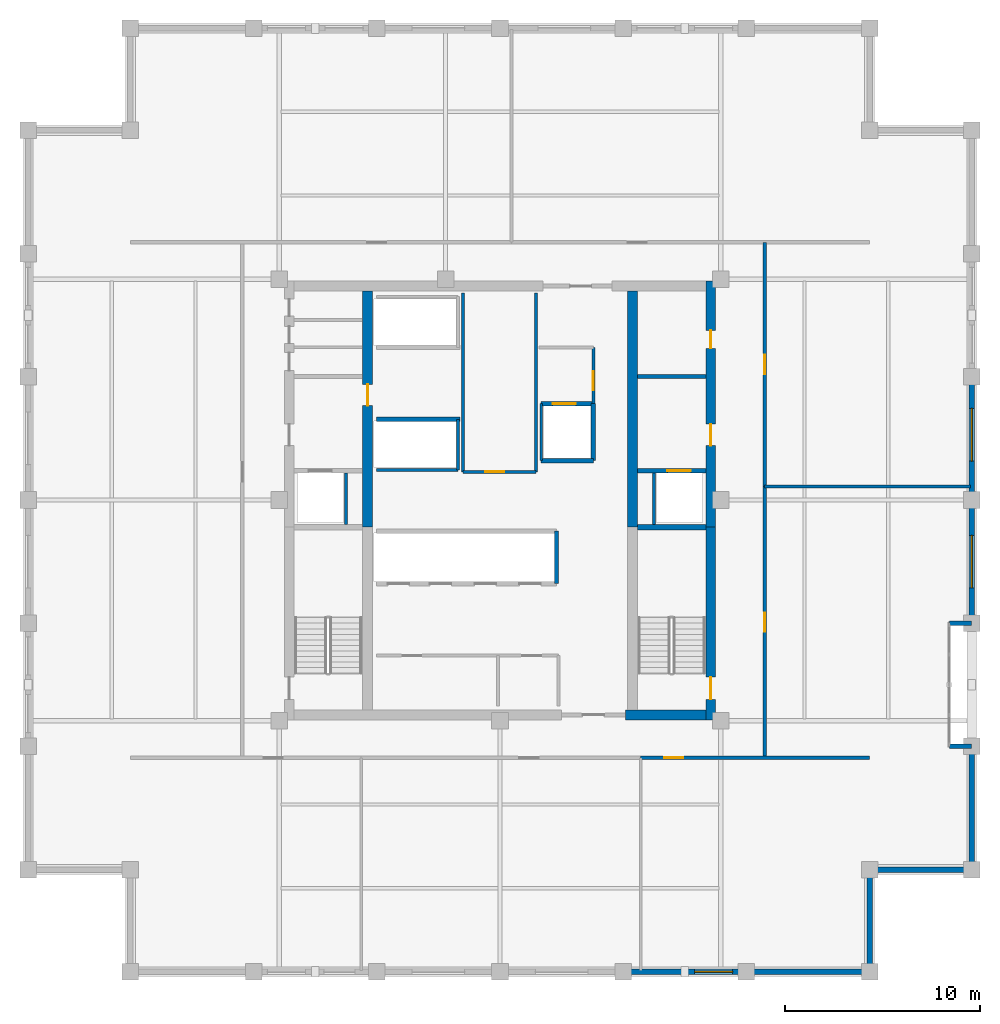
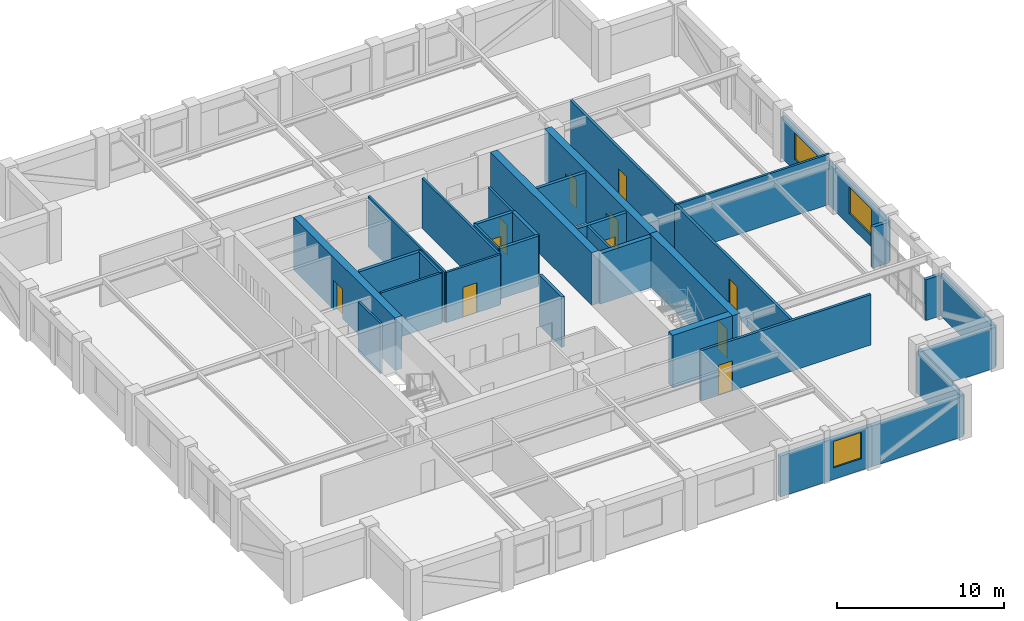
# One storey, part 5 of 8: 35 walls, 11 doors, 3 windows, 14 openings.
"""IFC4 building model written with IfcOpenShell, lengths in metres."""

from ifc_helpers import new_model, si_unit, direction, frame, frame_2d, origin, place, context, subcontext, project, spatial, rectangle, extrude, material, layer, layer_set, type_object, element, fill, save


model = new_model("IFC4")

# Units and contexts
model_context = context("Model", 3, precision=1e-05, world=origin(), true_north=direction((0.0, 1.0)))
body_context = subcontext(model_context, "Body", "Model", "MODEL_VIEW")
ifc_project = project(units=[si_unit("LENGTHUNIT", "METRE"), si_unit("AREAUNIT", "SQUARE_METRE"), si_unit("VOLUMEUNIT", "CUBIC_METRE"), si_unit("PLANEANGLEUNIT", "RADIAN"), si_unit("MASSUNIT", "GRAM", prefix="KILO")], contexts=[model_context])

# Site, building, storey
site_placement = place(None, origin())
site = spatial("IfcSite", under=ifc_project, at=site_placement, CompositionType="ELEMENT")
building_placement = place(site_placement, origin())
building = spatial("IfcBuilding", under=site, at=building_placement, Name="Nhamokura Convention Tower", CompositionType="ELEMENT")
storey_placement = place(building_placement, frame((0.0, 0.0, 240.800048828125)))
storey = spatial("IfcBuildingStorey", under=building, at=storey_placement, Name="L59", CompositionType="ELEMENT", Elevation=240.800048828125)

# Wall, opening, window
ifc_material_1 = material(Name="Bronze-pigmented precast concrete C45/55", Category="concrete")
ifc_layer_1 = layer(ifc_material_1, 0.280029296875)
ifc_layer_set_1 = layer_set([ifc_layer_1], Name="BronzePrecastSpandrel_280")
wall_type_1 = type_object("IfcWallType", Name="BronzePrecastSpandrel_280", PredefinedType="USERDEFINED", material=ifc_layer_set_1)
wall_1_placement = place(storey_placement, frame((44.666748046875, 7.75, 0.0), z_axis=(0.0, 0.0, 1.0), x_axis=(-1.0, 0.0, 0.0)))
wall_1 = element("IfcWall", 1, at=wall_1_placement, inside=storey, type_object=wall_type_1, Name="L59 Masonry-Frame Wall SOUTH 4", ObjectType="SPANDREL_WALL", PredefinedType="USERDEFINED", context=body_context, shape_type="SweptSolid", body=[
    extrude(rectangle(XDim=6.33349609375, YDim=0.280029296875, at=frame_2d((3.166748046875, 0.0))), origin(), (0.0, 0.0, 1.0), 2.98486328125),
])
opening_1_placement = place(wall_1_placement, frame((0.708251953125, 0.0, 0.85009765625)))
opening_1 = element("IfcOpeningElement", 2, at=opening_1_placement, cuts=wall_1, Name="Opening W-08", PredefinedType="OPENING", context=body_context, shape_type="SweptSolid", body=[
    extrude(rectangle(XDim=1.949951171875, YDim=1.93505859375, at=frame_2d((0.97509765625, 0.967529296875))), frame((0.0, 0.14990234375, 0.0), z_axis=(0.0, -1.0, 0.0), x_axis=(1.0, 0.0, 0.0)), (0.0, 0.0, 1.0), 0.300048828125),
])
ifc_material_2 = material(Name="Solar-control bronze low-E double glass", Category="glass")
window_type_1 = type_object("IfcWindowType", Name="OfficeModuleWindow_Z3_1950", PartitioningType="SINGLE_PANEL", PredefinedType="WINDOW", material=ifc_material_2)
window_1_placement = place(opening_1_placement, origin())
window_1 = element("IfcWindow", 3, at=window_1_placement, inside=storey, type_object=window_type_1, Name="L59 Facade Window SOUTH 4-1", OverallHeight=1.93505859375, OverallWidth=1.949951171875, PartitioningType="SINGLE_PANEL", PredefinedType="WINDOW", context=body_context, shape_type="SweptSolid", body=[
    extrude(rectangle(XDim=1.949951171875, YDim=1.93505859375, at=frame_2d((0.97509765625, 0.967529296875))), frame((0.0, 0.030029296875, 0.0), z_axis=(0.0, -1.0, 0.0), x_axis=(1.0, 0.0, 0.0)), (0.0, 0.0, 1.0), 0.06005859375),
])
fill(opening_1, window_1)

# Walls
wall_2_placement = place(storey_placement, frame((51.0, 7.75, 0.0), z_axis=(0.0, 0.0, 1.0), x_axis=(-1.0, 0.0, 0.0)))
element("IfcWall", 4, at=wall_2_placement, inside=storey, type_object=wall_type_1, Name="L59 Braced-Bay Precast Wall SOUTH 5", ObjectType="SPANDREL_WALL", PredefinedType="USERDEFINED", context=body_context, shape_type="SweptSolid", body=[
    extrude(rectangle(XDim=6.333251953125, YDim=0.280029296875, at=frame_2d((3.16650390625, 0.0))), origin(), (0.0, 0.0, 1.0), 2.98486328125),
])
for number, where, z_axis, x_axis, name in (
    (5, (56.25, 19.333251953125, 0.0), (0.0, 0.0, 1.0), (-1.0, 0.0, 0.0), "L59 Scale Slot Cheek Wall EASTA"),
    (6, (56.25, 25.666748046875, 0.0), (0.0, 0.0, 1.0), (-1.0, 0.0, 0.0), "L59 Scale Slot Cheek Wall EASTB"),
):
    element("IfcWall", number, at=place(storey_placement, frame(where, z_axis=z_axis, x_axis=x_axis)), inside=storey, type_object=wall_type_1, Name=name, ObjectType="SPANDREL_WALL", PredefinedType="USERDEFINED", context=body_context, shape_type="SweptSolid", body=[
        extrude(rectangle(XDim=1.14990234375, YDim=0.239990234375, at=frame_2d((0.574951171875, 0.0))), origin(), (0.0, 0.0, 1.0), 2.98486328125),
    ])
wall_3_placement = place(storey_placement, frame((56.25, 19.333251953125, 0.0), z_axis=(0.0, 0.0, 1.0), x_axis=(0.0, -1.0, 0.0)))
element("IfcWall", 7, at=wall_3_placement, inside=storey, type_object=wall_type_1, Name="L59 Braced-Bay Precast Wall EAST 0", ObjectType="SPANDREL_WALL", PredefinedType="USERDEFINED", context=body_context, shape_type="SweptSolid", body=[
    extrude(rectangle(XDim=6.333251953125, YDim=0.280029296875, at=frame_2d((3.16650390625, 0.0))), origin(), (0.0, 0.0, 1.0), 2.98486328125),
])

# Wall, opening, window
wall_4_placement = place(storey_placement, frame((56.25, 32.0, 0.0), z_axis=(0.0, 0.0, 1.0), x_axis=(0.0, -1.0, 0.0)))
wall_4 = element("IfcWall", 8, at=wall_4_placement, inside=storey, type_object=wall_type_1, Name="L59 Masonry-Frame Wall EAST 2", ObjectType="SPANDREL_WALL", PredefinedType="USERDEFINED", context=body_context, shape_type="SweptSolid", body=[
    extrude(rectangle(XDim=6.333251953125, YDim=0.280029296875, at=frame_2d((3.16650390625, 0.0))), origin(), (0.0, 0.0, 1.0), 2.98486328125),
])
opening_2_placement = place(wall_4_placement, frame((1.816650390625, 0.0, 0.85009765625)))
opening_2 = element("IfcOpeningElement", 9, at=opening_2_placement, cuts=wall_4, Name="Opening W-07", PredefinedType="OPENING", context=body_context, shape_type="SweptSolid", body=[
    extrude(rectangle(XDim=2.699951171875, YDim=1.93505859375, at=frame_2d((1.35009765625, 0.967529296875))), frame((0.0, 0.14990234375, 0.0), z_axis=(0.0, -1.0, 0.0), x_axis=(1.0, 0.0, 0.0)), (0.0, 0.0, 1.0), 0.300048828125),
])
ifc_material_3 = material(Name="Solar-control bronze low-E double glass", Category="glass")
window_type_2 = type_object("IfcWindowType", Name="OfficeModuleWindow_Z3_2700", PartitioningType="DOUBLE_PANEL_VERTICAL", PredefinedType="WINDOW", material=ifc_material_3)
window_2_placement = place(opening_2_placement, origin())
window_2 = element("IfcWindow", 10, at=window_2_placement, inside=storey, type_object=window_type_2, Name="L59 Facade Window EAST 2", OverallHeight=1.93505859375, OverallWidth=2.699951171875, PartitioningType="SINGLE_PANEL", PredefinedType="WINDOW", context=body_context, shape_type="SweptSolid", body=[
    extrude(rectangle(XDim=2.699951171875, YDim=1.93505859375, at=frame_2d((1.35009765625, 0.967529296875))), frame((0.0, 0.030029296875, 0.0), z_axis=(0.0, -1.0, 0.0), x_axis=(1.0, 0.0, 0.0)), (0.0, 0.0, 1.0), 0.06005859375),
])
fill(opening_2, window_2)

wall_5_placement = place(storey_placement, frame((56.25, 38.333251953125, 0.0), z_axis=(0.0, 0.0, 1.0), x_axis=(0.0, -1.0, 0.0)))
wall_5 = element("IfcWall", 11, at=wall_5_placement, inside=storey, type_object=wall_type_1, Name="L59 Masonry-Frame Wall EAST 3", ObjectType="SPANDREL_WALL", PredefinedType="USERDEFINED", context=body_context, shape_type="SweptSolid", body=[
    extrude(rectangle(XDim=6.333251953125, YDim=0.280029296875, at=frame_2d((3.16650390625, 0.0))), origin(), (0.0, 0.0, 1.0), 2.98486328125),
])
opening_3_placement = place(wall_5_placement, frame((1.629150390625, 0.0, 0.85009765625)))
opening_3 = element("IfcOpeningElement", 12, at=opening_3_placement, cuts=wall_5, Name="Opening W-07", PredefinedType="OPENING", context=body_context, shape_type="SweptSolid", body=[
    extrude(rectangle(XDim=2.699951171875, YDim=1.93505859375, at=frame_2d((1.35009765625, 0.967529296875))), frame((0.0, 0.14990234375, 0.0), z_axis=(0.0, -1.0, 0.0), x_axis=(1.0, 0.0, 0.0)), (0.0, 0.0, 1.0), 0.300048828125),
])
window_3_placement = place(opening_3_placement, origin())
window_3 = element("IfcWindow", 13, at=window_3_placement, inside=storey, type_object=window_type_2, Name="L59 Facade Window EAST 3", OverallHeight=1.93505859375, OverallWidth=2.699951171875, PartitioningType="SINGLE_PANEL", PredefinedType="WINDOW", context=body_context, shape_type="SweptSolid", body=[
    extrude(rectangle(XDim=2.699951171875, YDim=1.93505859375, at=frame_2d((1.35009765625, 0.967529296875))), frame((0.0, 0.030029296875, 0.0), z_axis=(0.0, -1.0, 0.0), x_axis=(1.0, 0.0, 0.0)), (0.0, 0.0, 1.0), 0.06005859375),
])
fill(opening_3, window_3)

# Walls
for number, where, z_axis, x_axis, name in (
    (14, (51.0, 13.0, 0.0), (0.0, 0.0, 1.0), (0.0, -1.0, 0.0), "L59 Notched Corner Wall SE1"),
    (15, (56.25, 13.0, 0.0), (0.0, 0.0, 1.0), (-1.0, 0.0, 0.0), "L59 Notched Corner Wall SE2"),
):
    element("IfcWall", number, at=place(storey_placement, frame(where, z_axis=z_axis, x_axis=x_axis)), inside=storey, type_object=wall_type_1, Name=name, ObjectType="SPANDREL_WALL", PredefinedType="USERDEFINED", context=body_context, shape_type="SweptSolid", body=[
        extrude(rectangle(XDim=5.25, YDim=0.280029296875, at=frame_2d((2.625, 0.0))), origin(), (0.0, 0.0, 1.0), 2.98486328125),
    ])

# Wall, opening, door
ifc_material_4 = material(Name="Concrete C60/75", Category="concrete")
ifc_layer_2 = layer(ifc_material_4, 0.5)
ifc_layer_set_2 = layer_set([ifc_layer_2], Name="CoreShearWall_500")
wall_type_2 = type_object("IfcWallType", Name="CoreShearWall_500", PredefinedType="SHEAR", material=ifc_layer_set_2)
wall_6_placement = place(storey_placement, frame((42.840087890625, 20.699951171875, 0.0), z_axis=(0.0, 0.0, 1.0), x_axis=(0.0, 1.0, 0.0)))
wall_6 = element("IfcWall", 16, at=wall_6_placement, inside=storey, type_object=wall_type_2, Name="L59 Core Shear Wall CW-ES", PredefinedType="SHEAR", context=body_context, shape_type="SweptSolid", body=[
    extrude(rectangle(XDim=9.900146484375, YDim=0.5, at=frame_2d((4.9501953125, 0.0))), origin(), (0.0, 0.0, 1.0), 3.849853515625),
])
opening_4_placement = place(wall_6_placement, frame((1.050048828125, 0.0, 0.0)))
opening_4 = element("IfcOpeningElement", 17, at=opening_4_placement, cuts=wall_6, Name="Opening D-04", PredefinedType="OPENING", context=body_context, shape_type="SweptSolid", body=[
    extrude(rectangle(XDim=1.14990234375, YDim=2.14990234375, at=frame_2d((0.574951171875, 1.074951171875))), frame((0.0, 0.260009765625, 0.0), z_axis=(0.0, -1.0, 0.0), x_axis=(1.0, 0.0, 0.0)), (0.0, 0.0, 1.0), 0.52001953125),
])
ifc_material_5 = material(Name="Fire-rated steel door", Category="steel")
door_type_1 = type_object("IfcDoorType", Name="StairSmokeDoor_1150", OperationType="NOTDEFINED", PredefinedType="DOOR", material=ifc_material_5)
door_1_placement = place(opening_4_placement, origin())
door_1 = element("IfcDoor", 18, at=door_1_placement, inside=storey, type_object=door_type_1, Name="L59 Core Door INT-L59-D-ST02", OperationType="SINGLE_SWING_RIGHT", OverallHeight=2.14990234375, OverallWidth=1.14990234375, PredefinedType="DOOR", context=body_context, shape_type="SweptSolid", body=[
    extrude(rectangle(XDim=1.14990234375, YDim=2.14990234375, at=frame_2d((0.574951171875, 1.074951171875))), frame((0.0, 0.02490234375, 0.0), z_axis=(0.0, -1.0, 0.0), x_axis=(1.0, 0.0, 0.0)), (0.0, 0.0, 1.0), 0.050048828125),
])
fill(opening_4, door_1)

# Wall, openings, doors
wall_7_placement = place(storey_placement, frame((42.840087890625, 30.60009765625, 0.0), z_axis=(0.0, 0.0, 1.0), x_axis=(0.0, 1.0, 0.0)))
wall_7 = element("IfcWall", 19, at=wall_7_placement, inside=storey, type_object=wall_type_2, Name="L59 Core Shear Wall CW-EN", PredefinedType="SHEAR", context=body_context, shape_type="SweptSolid", body=[
    extrude(rectangle(XDim=12.64990234375, YDim=0.5, at=frame_2d((6.324951171875, 0.0))), origin(), (0.0, 0.0, 1.0), 3.849853515625),
])
opening_5_placement = place(wall_7_placement, frame((4.199951171875, 0.0, 0.0)))
opening_5 = element("IfcOpeningElement", 20, at=opening_5_placement, cuts=wall_7, Name="Opening D-05", PredefinedType="OPENING", context=body_context, shape_type="SweptSolid", body=[
    extrude(rectangle(XDim=1.10009765625, YDim=2.14990234375, at=frame_2d((0.550048828125, 1.074951171875))), frame((0.0, 0.260009765625, 0.0), z_axis=(0.0, -1.0, 0.0), x_axis=(1.0, 0.0, 0.0)), (0.0, 0.0, 1.0), 0.52001953125),
])
opening_6_placement = place(wall_7_placement, frame((9.199951171875, 0.0, 0.0)))
opening_6 = element("IfcOpeningElement", 21, at=opening_6_placement, cuts=wall_7, Name="Opening D-10", PredefinedType="OPENING", context=body_context, shape_type="SweptSolid", body=[
    extrude(rectangle(XDim=0.919921875, YDim=2.10009765625, at=frame_2d((0.4599609375, 1.050048828125))), frame((0.0, 0.260009765625, 0.0), z_axis=(0.0, -1.0, 0.0), x_axis=(1.0, 0.0, 0.0)), (0.0, 0.0, 1.0), 0.52001953125),
])
ifc_material_6 = material(Name="Solid oak hardwood", Category="wood")
door_type_2 = type_object("IfcDoorType", Name="AccessibleWCDoor_920", OperationType="NOTDEFINED", PredefinedType="DOOR", material=ifc_material_6)
door_2_placement = place(opening_6_placement, origin())
door_2 = element("IfcDoor", 22, at=door_2_placement, inside=storey, type_object=door_type_2, Name="L59 Core Door INT-L59-D-UWC", OperationType="SINGLE_SWING_RIGHT", OverallHeight=2.10009765625, OverallWidth=0.919921875, PredefinedType="DOOR", context=body_context, shape_type="SweptSolid", body=[
    extrude(rectangle(XDim=0.919921875, YDim=2.10009765625, at=frame_2d((0.4599609375, 1.050048828125))), frame((0.0, 0.02490234375, 0.0), z_axis=(0.0, -1.0, 0.0), x_axis=(1.0, 0.0, 0.0)), (0.0, 0.0, 1.0), 0.050048828125),
])
fill(opening_6, door_2)
ifc_material_7 = material(Name="Fire-rated steel door", Category="steel")
door_type_3 = type_object("IfcDoorType", Name="FireLobbyDoor_1100", OperationType="NOTDEFINED", PredefinedType="DOOR", material=ifc_material_7)
door_3_placement = place(opening_5_placement, origin())
door_3 = element("IfcDoor", 23, at=door_3_placement, inside=storey, type_object=door_type_3, Name="L59 Core Door INT-L59-D-FFLE", OperationType="SINGLE_SWING_LEFT", OverallHeight=2.14990234375, OverallWidth=1.10009765625, PredefinedType="DOOR", context=body_context, shape_type="SweptSolid", body=[
    extrude(rectangle(XDim=1.10009765625, YDim=2.14990234375, at=frame_2d((0.550048828125, 1.074951171875))), frame((0.0, 0.02490234375, 0.0), z_axis=(0.0, -1.0, 0.0), x_axis=(1.0, 0.0, 0.0)), (0.0, 0.0, 1.0), 0.050048828125),
])
fill(opening_5, door_3)

# Wall
wall_8_placement = place(storey_placement, frame((38.449951171875, 20.949951171875, 0.0), z_axis=(0.0, 0.0, 1.0), x_axis=(1.0, 0.0, 0.0)))
element("IfcWall", 24, at=wall_8_placement, inside=storey, type_object=wall_type_2, Name="L59 Core Shear Wall CW-S2", PredefinedType="SHEAR", context=body_context, shape_type="SweptSolid", body=[
    extrude(rectangle(XDim=4.14013671875, YDim=0.5, at=frame_2d((2.070068359375, 0.0))), origin(), (0.0, 0.0, 1.0), 3.849853515625),
])

# Wall, opening, door
wall_9_placement = place(storey_placement, frame((25.18994140625, 30.60009765625, 0.0), z_axis=(0.0, 0.0, 1.0), x_axis=(0.0, 1.0, 0.0)))
wall_9 = element("IfcWall", 25, at=wall_9_placement, inside=storey, type_object=wall_type_2, Name="L59 Core Shear Wall CW-IWN", PredefinedType="SHEAR", context=body_context, shape_type="SweptSolid", body=[
    extrude(rectangle(XDim=12.14990234375, YDim=0.5, at=frame_2d((6.074951171875, 0.0))), origin(), (0.0, 0.0, 1.0), 3.849853515625),
])
opening_7_placement = place(wall_9_placement, frame((6.25, 0.0, 0.0)))
opening_7 = element("IfcOpeningElement", 26, at=opening_7_placement, cuts=wall_9, Name="Opening D-05", PredefinedType="OPENING", context=body_context, shape_type="SweptSolid", body=[
    extrude(rectangle(XDim=1.10009765625, YDim=2.14990234375, at=frame_2d((0.550048828125, 1.074951171875))), frame((0.0, 0.260009765625, 0.0), z_axis=(0.0, -1.0, 0.0), x_axis=(1.0, 0.0, 0.0)), (0.0, 0.0, 1.0), 0.52001953125),
])
door_4_placement = place(opening_7_placement, origin())
door_4 = element("IfcDoor", 27, at=door_4_placement, inside=storey, type_object=door_type_3, Name="L59 Core Door INT-L59-D-B3LOB", OperationType="SINGLE_SWING_LEFT", OverallHeight=2.14990234375, OverallWidth=1.10009765625, PredefinedType="DOOR", context=body_context, shape_type="SweptSolid", body=[
    extrude(rectangle(XDim=1.10009765625, YDim=2.14990234375, at=frame_2d((0.550048828125, 1.074951171875))), frame((0.0, 0.02490234375, 0.0), z_axis=(0.0, -1.0, 0.0), x_axis=(1.0, 0.0, 0.0)), (0.0, 0.0, 1.0), 0.050048828125),
])
fill(opening_7, door_4)

# Wall
wall_10_placement = place(storey_placement, frame((38.81005859375, 30.60009765625, 0.0), z_axis=(0.0, 0.0, 1.0), x_axis=(0.0, 1.0, 0.0)))
element("IfcWall", 28, at=wall_10_placement, inside=storey, type_object=wall_type_2, Name="L59 Core Shear Wall CW-IEN", PredefinedType="SHEAR", context=body_context, shape_type="SweptSolid", body=[
    extrude(rectangle(XDim=12.14990234375, YDim=0.5, at=frame_2d((6.074951171875, 0.0))), origin(), (0.0, 0.0, 1.0), 3.849853515625),
])

# Wall, opening, door
ifc_material_8 = material(Name="Fire-rated gypsum and masonry partition", Category="masonry")
ifc_layer_3 = layer(ifc_material_8, 0.179931640625)
ifc_layer_set_3 = layer_set([ifc_layer_3], Name="CorridorRatedWall_180")
wall_type_3 = type_object("IfcWallType", Name="CorridorRatedWall_180", PredefinedType="STANDARD", material=ifc_layer_set_3)
wall_11_placement = place(storey_placement, frame((39.2333984375, 18.75, 0.0), z_axis=(0.0, 0.0, 1.0), x_axis=(1.0, 0.0, 0.0)))
wall_11 = element("IfcWall", 29, at=wall_11_placement, inside=storey, type_object=wall_type_3, Name="L59 Wall INT-L59-CW-S02", PredefinedType="STANDARD", context=body_context, shape_type="SweptSolid", body=[
    extrude(rectangle(XDim=11.7666015625, YDim=0.179931640625, at=frame_2d((5.88330078125, 0.0))), origin(), (0.0, 0.0, 1.0), 3.68505859375),
])
opening_8_placement = place(wall_11_placement, frame((1.208251953125, 0.0, 0.0)))
opening_8 = element("IfcOpeningElement", 30, at=opening_8_placement, cuts=wall_11, Name="Opening D-08", PredefinedType="OPENING", context=body_context, shape_type="SweptSolid", body=[
    extrude(rectangle(XDim=0.97998046875, YDim=2.199951171875, at=frame_2d((0.489990234375, 1.10009765625))), frame((0.0, 0.099853515625, 0.0), z_axis=(0.0, -1.0, 0.0), x_axis=(1.0, 0.0, 0.0)), (0.0, 0.0, 1.0), 0.199951171875),
])
ifc_material_9 = material(Name="Solid oak hardwood", Category="wood")
door_type_4 = type_object("IfcDoorType", Name="OfficeEntryDoor_980", OperationType="NOTDEFINED", PredefinedType="DOOR", material=ifc_material_9)
door_5_placement = place(opening_8_placement, origin())
door_5 = element("IfcDoor", 31, at=door_5_placement, inside=storey, type_object=door_type_4, Name="L59 Conference Hall S03 Door", OperationType="SINGLE_SWING_LEFT", OverallHeight=2.199951171875, OverallWidth=0.97998046875, PredefinedType="DOOR", context=body_context, shape_type="SweptSolid", body=[
    extrude(rectangle(XDim=0.97998046875, YDim=2.199951171875, at=frame_2d((0.489990234375, 1.10009765625))), frame((0.0, 0.02490234375, 0.0), z_axis=(0.0, -1.0, 0.0), x_axis=(1.0, 0.0, 0.0)), (0.0, 0.0, 1.0), 0.050048828125),
])
fill(opening_8, door_5)

wall_12_placement = place(storey_placement, frame((45.60009765625, 18.75, 0.0), z_axis=(0.0, 0.0, 1.0), x_axis=(0.0, 1.0, 0.0)))
wall_12 = element("IfcWall", 32, at=wall_12_placement, inside=storey, type_object=wall_type_3, Name="L59 Wall INT-L59-CW-E00", PredefinedType="STANDARD", context=body_context, shape_type="SweptSolid", body=[
    extrude(rectangle(XDim=13.949951171875, YDim=0.179931640625, at=frame_2d((6.97509765625, 0.0))), origin(), (0.0, 0.0, 1.0), 3.68505859375),
])
opening_9_placement = place(wall_12_placement, frame((6.47509765625, 0.0, 0.0)))
opening_9 = element("IfcOpeningElement", 33, at=opening_9_placement, cuts=wall_12, Name="Opening D-08", PredefinedType="OPENING", context=body_context, shape_type="SweptSolid", body=[
    extrude(rectangle(XDim=0.97998046875, YDim=2.199951171875, at=frame_2d((0.489990234375, 1.10009765625))), frame((0.0, 0.099853515625, 0.0), z_axis=(0.0, -1.0, 0.0), x_axis=(1.0, 0.0, 0.0)), (0.0, 0.0, 1.0), 0.199951171875),
])
door_6_placement = place(opening_9_placement, origin())
door_6 = element("IfcDoor", 34, at=door_6_placement, inside=storey, type_object=door_type_4, Name="L59 Open Plan Office E01 Door", OperationType="SINGLE_SWING_LEFT", OverallHeight=2.199951171875, OverallWidth=0.97998046875, PredefinedType="DOOR", context=body_context, shape_type="SweptSolid", body=[
    extrude(rectangle(XDim=0.97998046875, YDim=2.199951171875, at=frame_2d((0.489990234375, 1.10009765625))), frame((0.0, 0.02490234375, 0.0), z_axis=(0.0, -1.0, 0.0), x_axis=(1.0, 0.0, 0.0)), (0.0, 0.0, 1.0), 0.050048828125),
])
fill(opening_9, door_6)

wall_13_placement = place(storey_placement, frame((45.60009765625, 32.699951171875, 0.0), z_axis=(0.0, 0.0, 1.0), x_axis=(0.0, 1.0, 0.0)))
wall_13 = element("IfcWall", 35, at=wall_13_placement, inside=storey, type_object=wall_type_3, Name="L59 Wall INT-L59-CW-E01", PredefinedType="STANDARD", context=body_context, shape_type="SweptSolid", body=[
    extrude(rectangle(XDim=12.550048828125, YDim=0.179931640625, at=frame_2d((6.27490234375, 0.0))), origin(), (0.0, 0.0, 1.0), 3.68505859375),
])
opening_10_placement = place(wall_13_placement, frame((5.77490234375, 0.0, 0.0)))
opening_10 = element("IfcOpeningElement", 36, at=opening_10_placement, cuts=wall_13, Name="Opening D-08", PredefinedType="OPENING", context=body_context, shape_type="SweptSolid", body=[
    extrude(rectangle(XDim=0.97998046875, YDim=2.199951171875, at=frame_2d((0.489990234375, 1.10009765625))), frame((0.0, 0.099853515625, 0.0), z_axis=(0.0, -1.0, 0.0), x_axis=(1.0, 0.0, 0.0)), (0.0, 0.0, 1.0), 0.199951171875),
])
door_7_placement = place(opening_10_placement, origin())
door_7 = element("IfcDoor", 37, at=door_7_placement, inside=storey, type_object=door_type_4, Name="L59 Collaboration Lounge E02 Door", OperationType="SINGLE_SWING_RIGHT", OverallHeight=2.199951171875, OverallWidth=0.97998046875, PredefinedType="DOOR", context=body_context, shape_type="SweptSolid", body=[
    extrude(rectangle(XDim=0.97998046875, YDim=2.199951171875, at=frame_2d((0.489990234375, 1.10009765625))), frame((0.0, 0.02490234375, 0.0), z_axis=(0.0, -1.0, 0.0), x_axis=(1.0, 0.0, 0.0)), (0.0, 0.0, 1.0), 0.050048828125),
])
fill(opening_10, door_7)

ifc_material_10 = material(Name="Autoclaved concrete blockwork", Category="masonry")
ifc_layer_4 = layer(ifc_material_10, 0.219970703125)
ifc_layer_set_4 = layer_set([ifc_layer_4], Name="FireLobbyWall_220")
wall_type_4 = type_object("IfcWallType", Name="FireLobbyWall_220", PredefinedType="STANDARD", material=ifc_layer_set_4)
wall_14_placement = place(storey_placement, frame((39.06005859375, 33.5, 0.0), z_axis=(0.0, 0.0, 1.0), x_axis=(1.0, 0.0, 0.0)))
wall_14 = element("IfcWall", 38, at=wall_14_placement, inside=storey, type_object=wall_type_4, Name="L59 Wall INT-L59-FFE-S", PredefinedType="STANDARD", context=body_context, shape_type="SweptSolid", body=[
    extrude(rectangle(XDim=3.530029296875, YDim=0.219970703125, at=frame_2d((1.76513671875, 0.0))), origin(), (0.0, 0.0, 1.0), 3.68505859375),
])
opening_11_placement = place(wall_14_placement, frame((1.550048828125, 0.0, 0.0)))
opening_11 = element("IfcOpeningElement", 39, at=opening_11_placement, cuts=wall_14, Name="Opening LD-02", PredefinedType="OPENING", context=body_context, shape_type="SweptSolid", body=[
    extrude(rectangle(XDim=1.199951171875, YDim=2.199951171875, at=frame_2d((0.60009765625, 1.10009765625))), frame((0.0, 0.119873046875, 0.0), z_axis=(0.0, -1.0, 0.0), x_axis=(1.0, 0.0, 0.0)), (0.0, 0.0, 1.0), 0.239990234375),
])
ifc_material_11 = material(Name="Anodised bronze stainless steel", Category="steel")
door_type_5 = type_object("IfcDoorType", Name="LiftLandingDoor_FireService", OperationType="DOUBLE_DOOR_SLIDING", PredefinedType="DOOR", material=ifc_material_11)
door_8_placement = place(opening_11_placement, origin())
door_8 = element("IfcDoor", 40, at=door_8_placement, inside=storey, type_object=door_type_5, Name="L59 Firefighting Lift LF-02 Door", OperationType="DOUBLE_DOOR_SLIDING", OverallHeight=2.199951171875, OverallWidth=1.199951171875, PredefinedType="DOOR", context=body_context, shape_type="SweptSolid", body=[
    extrude(rectangle(XDim=1.199951171875, YDim=2.199951171875, at=frame_2d((0.60009765625, 1.10009765625))), frame((0.0, 0.02490234375, 0.0), z_axis=(0.0, -1.0, 0.0), x_axis=(1.0, 0.0, 0.0)), (0.0, 0.0, 1.0), 0.050048828125),
])
fill(opening_11, door_8)

# Walls
wall_15_placement = place(storey_placement, frame((39.06005859375, 38.35009765625, 0.0), z_axis=(0.0, 0.0, 1.0), x_axis=(1.0, 0.0, 0.0)))
element("IfcWall", 41, at=wall_15_placement, inside=storey, type_object=wall_type_4, Name="L59 Wall INT-L59-FFE-N", PredefinedType="STANDARD", context=body_context, shape_type="SweptSolid", body=[
    extrude(rectangle(XDim=3.530029296875, YDim=0.219970703125, at=frame_2d((1.76513671875, 0.0))), origin(), (0.0, 0.0, 1.0), 3.68505859375),
])
wall_16_placement = place(storey_placement, frame((34.89990234375, 27.699951171875, 0.0), z_axis=(0.0, 0.0, 1.0), x_axis=(0.0, 1.0, 0.0)))
element("IfcWall", 42, at=wall_16_placement, inside=storey, type_object=wall_type_4, Name="L59 Wall INT-L59-B2E", PredefinedType="STANDARD", context=body_context, shape_type="SweptSolid", body=[
    extrude(rectangle(XDim=2.699951171875, YDim=0.219970703125, at=frame_2d((1.35009765625, 0.0))), origin(), (0.0, 0.0, 1.0), 3.68505859375),
])
wall_17_placement = place(storey_placement, frame((25.64990234375, 36.14990234375, 0.0), z_axis=(0.0, 0.0, 1.0), x_axis=(1.0, 0.0, 0.0)))
element("IfcWall", 43, at=wall_17_placement, inside=storey, type_object=wall_type_4, Name="L59 Wall INT-L59-B3S", PredefinedType="STANDARD", context=body_context, shape_type="SweptSolid", body=[
    extrude(rectangle(XDim=4.300048828125, YDim=0.219970703125, at=frame_2d((2.14990234375, 0.0))), origin(), (0.0, 0.0, 1.0), 3.68505859375),
])

# Wall, opening, door
wall_18_placement = place(storey_placement, frame((34.1201171875, 36.949951171875, 0.0), z_axis=(0.0, 0.0, 1.0), x_axis=(1.0, 0.0, 0.0)))
wall_18 = element("IfcWall", 44, at=wall_18_placement, inside=storey, type_object=wall_type_4, Name="L59 Wall INT-L59-LSN", PredefinedType="STANDARD", context=body_context, shape_type="SweptSolid", body=[
    extrude(rectangle(XDim=2.679931640625, YDim=0.219970703125, at=frame_2d((1.33984375, 0.0))), origin(), (0.0, 0.0, 1.0), 3.68505859375),
])
opening_12_placement = place(wall_18_placement, frame((0.580078125, 0.0, 0.0)))
opening_12 = element("IfcOpeningElement", 45, at=opening_12_placement, cuts=wall_18, Name="Opening LD-02", PredefinedType="OPENING", context=body_context, shape_type="SweptSolid", body=[
    extrude(rectangle(XDim=1.199951171875, YDim=2.199951171875, at=frame_2d((0.60009765625, 1.10009765625))), frame((0.0, 0.119873046875, 0.0), z_axis=(0.0, -1.0, 0.0), x_axis=(1.0, 0.0, 0.0)), (0.0, 0.0, 1.0), 0.239990234375),
])
door_9_placement = place(opening_12_placement, origin())
door_9 = element("IfcDoor", 46, at=door_9_placement, inside=storey, type_object=door_type_5, Name="L59 Service Lift LS-01 Door", OperationType="DOUBLE_DOOR_SLIDING", OverallHeight=2.199951171875, OverallWidth=1.199951171875, PredefinedType="DOOR", context=body_context, shape_type="SweptSolid", body=[
    extrude(rectangle(XDim=1.199951171875, YDim=2.199951171875, at=frame_2d((0.60009765625, 1.10009765625))), frame((0.0, 0.02490234375, 0.0), z_axis=(0.0, -1.0, 0.0), x_axis=(1.0, 0.0, 0.0)), (0.0, 0.0, 1.0), 0.050048828125),
])
fill(opening_12, door_9)

# Walls
wall_19_placement = place(storey_placement, frame((36.800048828125, 34.02001953125, 0.0), z_axis=(0.0, 0.0, 1.0), x_axis=(0.0, 1.0, 0.0)))
element("IfcWall", 47, at=wall_19_placement, inside=storey, type_object=wall_type_4, Name="L59 Wall INT-L59-LSE", PredefinedType="STANDARD", context=body_context, shape_type="SweptSolid", body=[
    extrude(rectangle(XDim=2.929931640625, YDim=0.219970703125, at=frame_2d((1.46484375, 0.0))), origin(), (0.0, 0.0, 1.0), 3.68505859375),
])
wall_20_placement = place(storey_placement, frame((34.1201171875, 34.02001953125, 0.0), z_axis=(0.0, 0.0, 1.0), x_axis=(1.0, 0.0, 0.0)))
element("IfcWall", 48, at=wall_20_placement, inside=storey, type_object=wall_type_4, Name="L59 Wall INT-L59-LSS", PredefinedType="STANDARD", context=body_context, shape_type="SweptSolid", body=[
    extrude(rectangle(XDim=2.679931640625, YDim=0.219970703125, at=frame_2d((1.33984375, 0.0))), origin(), (0.0, 0.0, 1.0), 3.68505859375),
])
ifc_material_12 = material(Name="Acoustic gypsum stud partition", Category="masonry")
ifc_layer_5 = layer(ifc_material_12, 0.14990234375)
ifc_layer_set_5 = layer_set([ifc_layer_5], Name="InteriorPartition_150")
wall_type_5 = type_object("IfcWallType", Name="InteriorPartition_150", PredefinedType="STANDARD", material=ifc_layer_set_5)
for number, where, z_axis, x_axis, name in (
    (49, (24.080078125, 30.75, 0.0), (0.0, 0.0, 1.0), (0.0, 1.0, 0.0), "L59 Wall INT-L59-FF1-E"),
    (50, (39.919921875, 30.75, 0.0), (0.0, 0.0, 1.0), (0.0, 1.0, 0.0), "L59 Wall INT-L59-FF2-W"),
):
    element("IfcWall", number, at=place(storey_placement, frame(where, z_axis=z_axis, x_axis=x_axis)), inside=storey, type_object=wall_type_5, Name=name, PredefinedType="STANDARD", context=body_context, shape_type="SweptSolid", body=[
        extrude(rectangle(XDim=2.64990234375, YDim=0.14990234375, at=frame_2d((1.324951171875, 0.0))), origin(), (0.0, 0.0, 1.0), 3.68505859375),
    ])

# Wall, opening, door
wall_21_placement = place(storey_placement, frame((36.800048828125, 36.949951171875, 0.0), z_axis=(0.0, 0.0, 1.0), x_axis=(0.0, 1.0, 0.0)))
wall_21 = element("IfcWall", 51, at=wall_21_placement, inside=storey, type_object=wall_type_5, Name="L59 Wall INT-L59-NE-TELE", PredefinedType="STANDARD", context=body_context, shape_type="SweptSolid", body=[
    extrude(rectangle(XDim=2.900146484375, YDim=0.14990234375, at=frame_2d((1.4501953125, 0.0))), origin(), (0.0, 0.0, 1.0), 3.68505859375),
])
opening_13_placement = place(wall_21_placement, frame((0.699951171875, 0.0, 0.0)))
opening_13 = element("IfcOpeningElement", 52, at=opening_13_placement, cuts=wall_21, Name="Opening D-08", PredefinedType="OPENING", context=body_context, shape_type="SweptSolid", body=[
    extrude(rectangle(XDim=0.97998046875, YDim=2.199951171875, at=frame_2d((0.489990234375, 1.10009765625))), frame((0.0, 0.0849609375, 0.0), z_axis=(0.0, -1.0, 0.0), x_axis=(1.0, 0.0, 0.0)), (0.0, 0.0, 1.0), 0.169921875),
])
door_10_placement = place(opening_13_placement, origin())
door_10 = element("IfcDoor", 53, at=door_10_placement, inside=storey, type_object=door_type_4, Name="L59 Core Telecom Door", OperationType="SINGLE_SWING_LEFT", OverallHeight=2.199951171875, OverallWidth=0.97998046875, PredefinedType="DOOR", context=body_context, shape_type="SweptSolid", body=[
    extrude(rectangle(XDim=0.97998046875, YDim=2.199951171875, at=frame_2d((0.489990234375, 1.10009765625))), frame((0.0, 0.02490234375, 0.0), z_axis=(0.0, -1.0, 0.0), x_axis=(1.0, 0.0, 0.0)), (0.0, 0.0, 1.0), 0.050048828125),
])
fill(opening_13, door_10)

# Walls
wall_22_placement = place(storey_placement, frame((25.64990234375, 33.550048828125, 0.0), z_axis=(0.0, 0.0, 1.0), x_axis=(1.0, 0.0, 0.0)))
element("IfcWall", 54, at=wall_22_placement, inside=storey, type_object=wall_type_5, Name="L59 Wall INT-L59-B3A-S", PredefinedType="STANDARD", context=body_context, shape_type="SweptSolid", body=[
    extrude(rectangle(XDim=4.2001953125, YDim=0.14990234375, at=frame_2d((2.10009765625, 0.0))), origin(), (0.0, 0.0, 1.0), 3.68505859375),
])
wall_23_placement = place(storey_placement, frame((29.85009765625, 33.550048828125, 0.0), z_axis=(0.0, 0.0, 1.0), x_axis=(0.0, 1.0, 0.0)))
element("IfcWall", 55, at=wall_23_placement, inside=storey, type_object=wall_type_5, Name="L59 Wall INT-L59-B3A-E", PredefinedType="STANDARD", context=body_context, shape_type="SweptSolid", body=[
    extrude(rectangle(XDim=2.599853515625, YDim=0.14990234375, at=frame_2d((1.2998046875, 0.0))), origin(), (0.0, 0.0, 1.0), 3.68505859375),
])
for number, where, z_axis, x_axis, name in (
    (56, (30.10009765625, 33.449951171875, 0.0), (0.0, 0.0, 1.0), (0.0, 1.0, 0.0), "L59 Wall INT-L59-ST03W"),
    (57, (33.85009765625, 33.449951171875, 0.0), (0.0, 0.0, 1.0), (0.0, 1.0, 0.0), "L59 Wall INT-L59-ST03E"),
):
    element("IfcWall", number, at=place(storey_placement, frame(where, z_axis=z_axis, x_axis=x_axis)), inside=storey, type_object=wall_type_5, Name=name, PredefinedType="STANDARD", context=body_context, shape_type="SweptSolid", body=[
        extrude(rectangle(XDim=9.199951171875, YDim=0.14990234375, at=frame_2d((4.60009765625, 0.0))), origin(), (0.0, 0.0, 1.0), 3.68505859375),
    ])

# Wall, opening, door
wall_24_placement = place(storey_placement, frame((30.10009765625, 33.449951171875, 0.0), z_axis=(0.0, 0.0, 1.0), x_axis=(1.0, 0.0, 0.0)))
wall_24 = element("IfcWall", 58, at=wall_24_placement, inside=storey, type_object=wall_type_5, Name="L59 Wall INT-L59-ST03S", PredefinedType="STANDARD", context=body_context, shape_type="SweptSolid", body=[
    extrude(rectangle(XDim=3.75, YDim=0.14990234375, at=frame_2d((1.875, 0.0))), origin(), (0.0, 0.0, 1.0), 3.68505859375),
])
opening_14_placement = place(wall_24_placement, frame((1.14990234375, 0.0, 0.0)))
opening_14 = element("IfcOpeningElement", 59, at=opening_14_placement, cuts=wall_24, Name="Opening D-08", PredefinedType="OPENING", context=body_context, shape_type="SweptSolid", body=[
    extrude(rectangle(XDim=0.97998046875, YDim=2.199951171875, at=frame_2d((0.489990234375, 1.10009765625))), frame((0.0, 0.0849609375, 0.0), z_axis=(0.0, -1.0, 0.0), x_axis=(1.0, 0.0, 0.0)), (0.0, 0.0, 1.0), 0.169921875),
])
door_11_placement = place(opening_14_placement, origin())
door_11 = element("IfcDoor", 60, at=door_11_placement, inside=storey, type_object=door_type_4, Name="L59 Wellness and Records Room Door", OperationType="SINGLE_SWING_RIGHT", OverallHeight=2.199951171875, OverallWidth=0.97998046875, PredefinedType="DOOR", context=body_context, shape_type="SweptSolid", body=[
    extrude(rectangle(XDim=0.97998046875, YDim=2.199951171875, at=frame_2d((0.489990234375, 1.10009765625))), frame((0.0, 0.02490234375, 0.0), z_axis=(0.0, -1.0, 0.0), x_axis=(1.0, 0.0, 0.0)), (0.0, 0.0, 1.0), 0.050048828125),
])
fill(opening_14, door_11)

# Walls
wall_25_placement = place(storey_placement, frame((34.1201171875, 34.02001953125, 0.0), z_axis=(0.0, 0.0, 1.0), x_axis=(0.0, 1.0, 0.0)))
element("IfcWall", 61, at=wall_25_placement, inside=storey, type_object=wall_type_5, Name="L59 Wall INT-L59-LSW", PredefinedType="STANDARD", context=body_context, shape_type="SweptSolid", body=[
    extrude(rectangle(XDim=2.929931640625, YDim=0.14990234375, at=frame_2d((1.46484375, 0.0))), origin(), (0.0, 0.0, 1.0), 3.68505859375),
])
wall_26_placement = place(storey_placement, frame((45.60009765625, 32.699951171875, 0.0), z_axis=(0.0, 0.0, 1.0), x_axis=(1.0, 0.0, 0.0)))
element("IfcWall", 62, at=wall_26_placement, inside=storey, type_object=wall_type_5, Name="L59 Wall INT-L59-RW-E01", PredefinedType="STANDARD", context=body_context, shape_type="SweptSolid", body=[
    extrude(rectangle(XDim=10.58984375, YDim=0.14990234375, at=frame_2d((5.294921875, 0.0))), origin(), (0.0, 0.0, 1.0), 3.68505859375),
])
ifc_material_13 = material(Name="Concrete C50/60", Category="concrete")
ifc_layer_6 = layer(ifc_material_13, 0.300048828125)
ifc_layer_set_6 = layer_set([ifc_layer_6], Name="ShaftEnclosureWall_300")
wall_type_6 = type_object("IfcWallType", Name="ShaftEnclosureWall_300", PredefinedType="SHEAR", material=ifc_layer_set_6)
wall_27_placement = place(storey_placement, frame((39.06005859375, 30.60009765625, 0.0), z_axis=(0.0, 0.0, 1.0), x_axis=(1.0, 0.0, 0.0)))
element("IfcWall", 63, at=wall_27_placement, inside=storey, type_object=wall_type_6, Name="L59 Wall INT-L59-ST02-N", PredefinedType="SHEAR", context=body_context, shape_type="SweptSolid", body=[
    extrude(rectangle(XDim=3.530029296875, YDim=0.300048828125, at=frame_2d((1.76513671875, 0.0))), origin(), (0.0, 0.0, 1.0), 3.68505859375),
])

save(model, "model.ifc")
